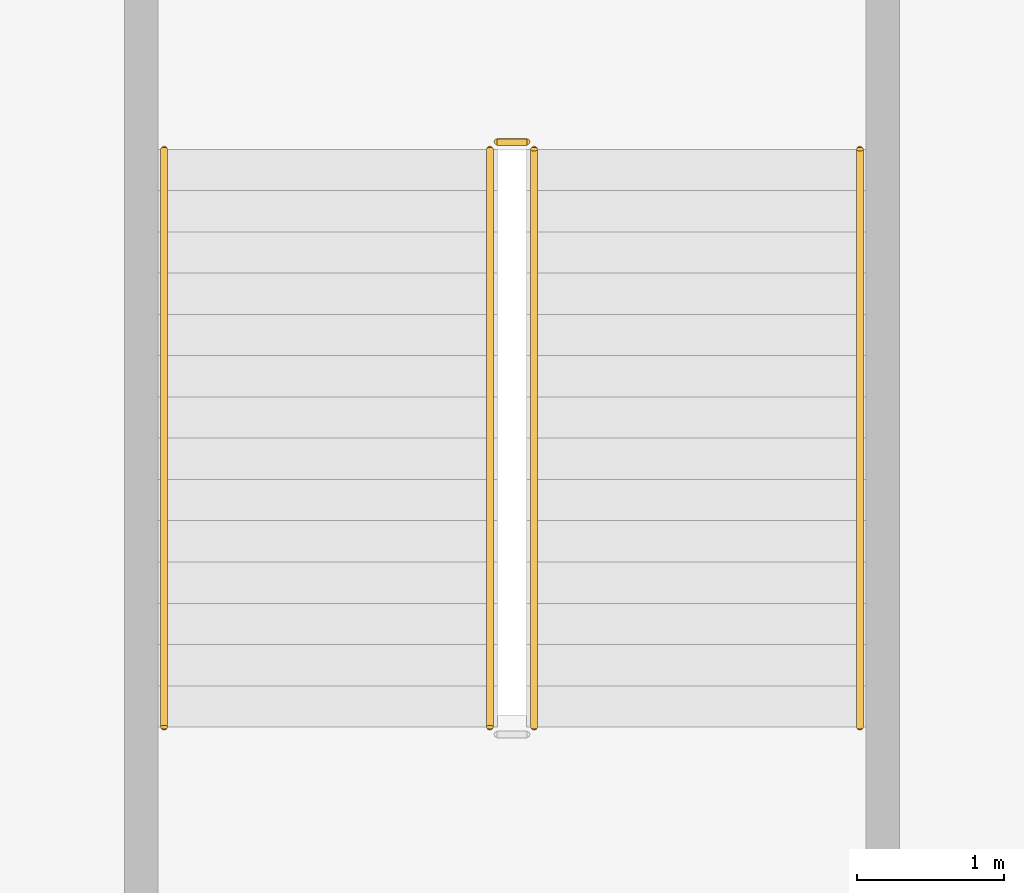
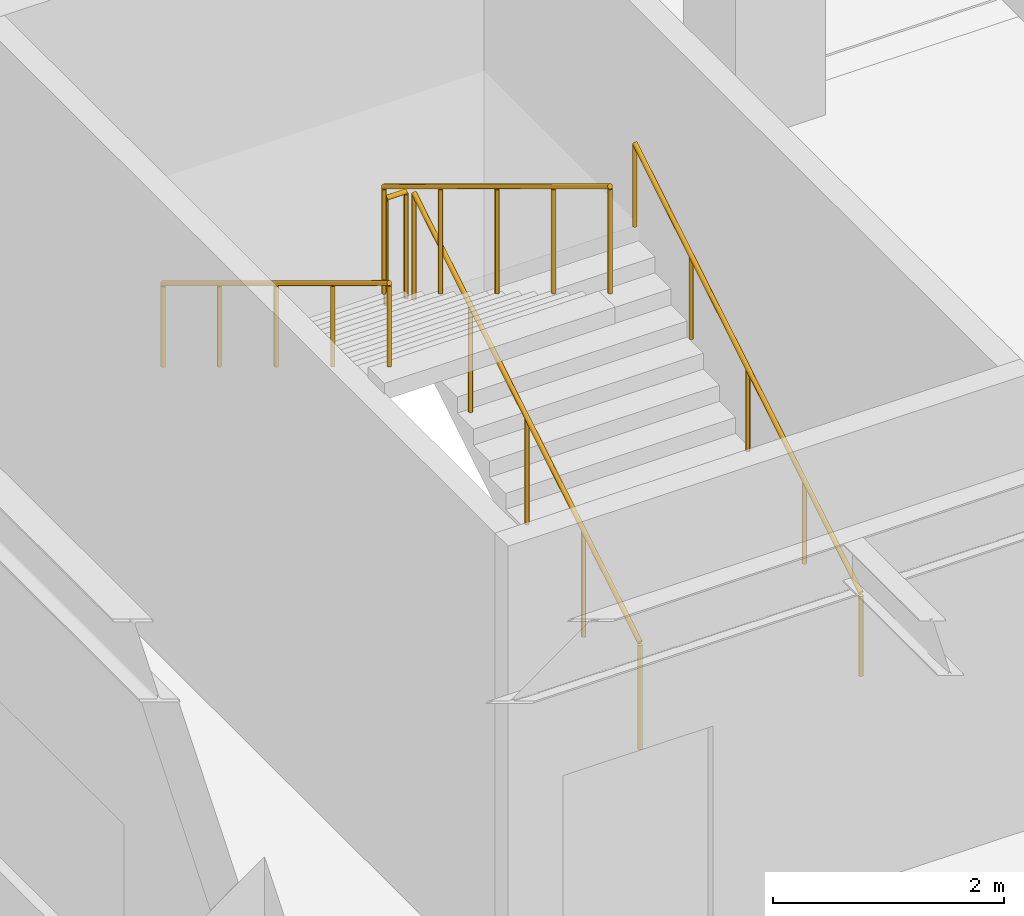
# One storey, part 90 of 116: 5 railings.
"""IFC4 building model written with IfcOpenShell, lengths in metres."""

import ifcopenshell
import ifcopenshell.guid

model = None  # the IFC model being written
_history = None  # IfcOwnerHistory: only IFC2X3 demands one
_inside = {}  # id of a spatial element -> (the spatial element, [elements in it])
_under = {}  # id of a project, library or spatial element -> (it, [spatial elements below it])
_declared = {}  # id of a project -> (the project, [libraries it declares])
_typed = {}  # id of a type object -> (the type object, [elements of that type])
_made_of = {}  # id of a material, layer set ... -> (it, [elements and type objects made of it])


def new_model(schema):
    """Start an empty IFC model of exactly this schema.

    Asked for "IFC4X3", IfcOpenShell would pick the latest addendum, in which some entities
    have other attributes; the version numbers below select the first issue.
    IFC2X3 requires an IfcOwnerHistory on every rooted entity: one is made here for all.
    """
    global model, _history
    if schema == "IFC4X3":
        model = ifcopenshell.file(schema_version=(4, 3, 0, 0))
    else:
        model = ifcopenshell.file(schema=schema)
    _inside.clear()
    _under.clear()
    _declared.clear()
    _typed.clear()
    _made_of.clear()
    _history = None
    if model.schema == "IFC2X3":
        org = make("IfcOrganization", Name="unknown")
        user = make(
            "IfcPersonAndOrganization",
            ThePerson=make("IfcPerson", FamilyName="unknown"),
            TheOrganization=org,
        )
        app = make(
            "IfcApplication",
            ApplicationDeveloper=org,
            Version="unknown",
            ApplicationFullName="unknown",
            ApplicationIdentifier="unknown",
        )
        _history = make(
            "IfcOwnerHistory",
            OwningUser=user,
            OwningApplication=app,
            ChangeAction="ADDED",
            CreationDate=0,
        )
    return model


def make(cls, **values):
    """One entity of the class cls with the attributes given. An attribute that is None is left unset."""
    return model.create_entity(
        cls, **{name: value for name, value in values.items() if value is not None}
    )


def rooted(cls, **values):
    """An entity with a GlobalId (a new one), such as an element, a storey or a relation."""
    return make(cls, GlobalId=ifcopenshell.guid.new(), OwnerHistory=_history, **values)


def si_unit(unit_type, name, prefix=None):
    """IfcSIUnit, for example si_unit("LENGTHUNIT", "METRE", prefix="MILLI")."""
    return make("IfcSIUnit", UnitType=unit_type, Prefix=prefix, Name=name)


def assignment(units):
    """IfcUnitAssignment: the units of a project."""
    return None if units is None else make("IfcUnitAssignment", Units=units)


def point(xyz):
    """IfcCartesianPoint."""
    return None if xyz is None else make("IfcCartesianPoint", Coordinates=xyz)


def direction(xyz):
    """IfcDirection."""
    return None if xyz is None else make("IfcDirection", DirectionRatios=xyz)


def frame(location, z_axis=None, x_axis=None):
    """IfcAxis2Placement3D, a coordinate frame: its origin and axes. An axis left out is left unset."""
    return make(
        "IfcAxis2Placement3D",
        Location=point(location),
        Axis=direction(z_axis),
        RefDirection=direction(x_axis),
    )


def frame_2d(location, x_axis=None):
    """IfcAxis2Placement2D, a coordinate frame in the plane: its origin and x axis."""
    return make(
        "IfcAxis2Placement2D", Location=point(location), RefDirection=direction(x_axis)
    )


def origin():
    """The frame at (0, 0, 0) with its axes left unset."""
    return frame((0.0, 0.0, 0.0))


def origin_2d():
    """The frame at (0, 0) in the plane with its x axis left unset."""
    return frame_2d((0.0, 0.0))


def place(relative_to, where):
    """IfcLocalPlacement: puts the frame where relative to a parent placement (None: the world)."""
    return make(
        "IfcLocalPlacement", PlacementRelTo=relative_to, RelativePlacement=where
    )


def context(
    kind, dimensions, precision=None, world=None, true_north=None, identifier=None
):
    """IfcGeometricRepresentationContext, for example the 3D "Model" context."""
    return make(
        "IfcGeometricRepresentationContext",
        ContextIdentifier=identifier,
        ContextType=kind,
        CoordinateSpaceDimension=dimensions,
        Precision=precision,
        WorldCoordinateSystem=world,
        TrueNorth=true_north,
    )


def subcontext(parent, identifier, kind, view, scale=None):
    """IfcGeometricRepresentationSubContext, for example "Body" below "Model"."""
    return make(
        "IfcGeometricRepresentationSubContext",
        ContextIdentifier=identifier,
        ContextType=kind,
        ParentContext=parent,
        TargetScale=scale,
        TargetView=view,
    )


def project(units=None, contexts=None):
    """IfcProject with its units and contexts."""
    return rooted(
        "IfcProject",
        Name="project",
        RepresentationContexts=contexts,
        UnitsInContext=assignment(units),
    )


def spatial(cls, under=None, at=None, **own):
    """A site, building, storey or space (cls), placed at a placement, below another one or the project."""
    s = rooted(cls, ObjectPlacement=at, **own)
    if under is not None:
        _under.setdefault(under.id(), (under, []))[1].append(s)
    return s


def profile(cls, at=None, kind="AREA", **sizes):
    """A parametric profile (cls). Its sizes go by their IFC names, for example OverallWidth=200.0."""
    return make(cls, ProfileType=kind, Position=at, **sizes)


def circle(**sizes):
    """IfcCircleProfileDef."""
    return profile("IfcCircleProfileDef", **sizes)


def extrude(swept, where, along, depth):
    """IfcExtrudedAreaSolid: the profile swept, set in the frame where, extruded along a direction by depth."""
    return make(
        "IfcExtrudedAreaSolid",
        SweptArea=swept,
        Position=where,
        ExtrudedDirection=direction(along),
        Depth=depth,
    )


def shape(context_of_items, identifier, shape_type, items):
    """IfcShapeRepresentation: the items that make up one representation, for example the "Body"."""
    return make(
        "IfcShapeRepresentation",
        ContextOfItems=context_of_items,
        RepresentationIdentifier=identifier,
        RepresentationType=shape_type,
        Items=items,
    )


def material(Name=None, Category=None):
    """IfcMaterial."""
    return make("IfcMaterial", Name=Name, Category=Category)


def layer(
    of_material, thickness, ventilated=None, Name=None, Category=None, Priority=None
):
    """IfcMaterialLayer: one layer of a wall or slab, of a material (None: an air gap)."""
    return make(
        "IfcMaterialLayer",
        Material=of_material,
        LayerThickness=thickness,
        IsVentilated=ventilated,
        Name=Name,
        Category=Category,
        Priority=Priority,
    )


def layer_set(layers, Name=None):
    """IfcMaterialLayerSet."""
    return make("IfcMaterialLayerSet", MaterialLayers=layers, LayerSetName=Name)


def made_of(thing, what):
    """Note that an element or type object is made of a material, layer set ...; save() writes the relation."""
    if what is not None:
        _made_of.setdefault(what.id(), (what, []))[1].append(thing)
    return thing


def type_object(cls, material=None, **own):
    """A type object (cls), such as IfcWallType, which elements share."""
    return made_of(rooted(cls, **own), material)


def element(
    cls,
    number,
    at=None,
    inside=None,
    cuts=None,
    type_object=None,
    material=None,
    context=None,
    identifier="Body",
    shape_type=None,
    held_by="IfcProductDefinitionShape",
    body=None,
    shapes=None,
    **own,
):
    """One element of the class cls, such as IfcWall. Its Tag is "e" and its number.

    at: its placement. inside: the storey or other place that contains it. cuts: it is an
    opening in that element (IfcRelVoidsElement). A single representation is given by context,
    identifier, shape_type and body (its items); several are given by shapes. held_by: the class
    of the entity that holds the representations. save() writes the other relations.
    """
    e = rooted(cls, Tag="e%d" % number, ObjectPlacement=at, **own)
    if body is not None:
        shapes = [shape(context, identifier, shape_type, body)]
    if shapes is not None:
        e.Representation = make(held_by, Representations=shapes)
    if inside is not None:
        _inside.setdefault(inside.id(), (inside, []))[1].append(e)
    if cuts is not None:
        rooted(
            "IfcRelVoidsElement", RelatingBuildingElement=cuts, RelatedOpeningElement=e
        )
    if type_object is not None:
        _typed.setdefault(type_object.id(), (type_object, []))[1].append(e)
    return made_of(e, material)


def aggregate(whole, parts):
    """IfcRelAggregates: a whole, such as a stair, and the parts it consists of."""
    return rooted("IfcRelAggregates", RelatingObject=whole, RelatedObjects=parts)


def save(model, path):
    """Write the relations noted so far, then the file.

    IfcRelAggregates (storeys below a building ...), IfcRelContainedInSpatialStructure (elements
    in a storey), IfcRelDefinesByType, IfcRelAssociatesMaterial and IfcRelDeclares: one each for
    every whole, place, type object, material and project.
    """
    for whole, parts in _under.values():
        aggregate(whole, parts)
    for where, things in _inside.values():
        rooted(
            "IfcRelContainedInSpatialStructure",
            RelatedElements=things,
            RelatingStructure=where,
        )
    for kind, things in _typed.values():
        rooted("IfcRelDefinesByType", RelatedObjects=things, RelatingType=kind)
    for what, things in _made_of.values():
        rooted("IfcRelAssociatesMaterial", RelatedObjects=things, RelatingMaterial=what)
    for by, libraries in _declared.values():
        rooted("IfcRelDeclares", RelatingContext=by, RelatedDefinitions=libraries)
    model.write(path)


model = new_model("IFC4")

# Units and contexts
model_context = context("Model", 3, precision=1e-05, world=origin(), true_north=direction((0.0, 1.0)))
body_context = subcontext(model_context, "Body", "Model", "MODEL_VIEW")
ifc_project = project(units=[si_unit("LENGTHUNIT", "METRE"), si_unit("AREAUNIT", "SQUARE_METRE"), si_unit("VOLUMEUNIT", "CUBIC_METRE"), si_unit("PLANEANGLEUNIT", "RADIAN"), si_unit("MASSUNIT", "GRAM", prefix="KILO")], contexts=[model_context])

# Site, building, storey
site_placement = place(None, origin())
site = spatial("IfcSite", under=ifc_project, at=site_placement, CompositionType="ELEMENT")
building_placement = place(site_placement, origin())
building = spatial("IfcBuilding", under=site, at=building_placement, Name="Kazenohara Klinker Stadium", CompositionType="ELEMENT")
storey_placement = place(building_placement, frame((0.0, 0.0, 10.199951171875)))
storey = spatial("IfcBuildingStorey", under=building, at=storey_placement, Name="L02", CompositionType="ELEMENT", Elevation=10.199951171875)

# Railings
ifc_material_1 = material(Name="Brushed stainless steel 304 handrail", Category="steel")
ifc_layer_1 = layer(ifc_material_1, 0.050048828125)
ifc_layer_set_1 = layer_set([ifc_layer_1], Name="Brushed stainless steel 304 handrail")
railing_type_1 = type_object("IfcRailingType", Name="RL-HND-900", PredefinedType="HANDRAIL", material=ifc_layer_set_1)
railing_1_placement = place(storey_placement, frame((8.360107421875, 63.85009765625, 0.170166015625)))
element("IfcRailing", 1, at=railing_1_placement, inside=storey, type_object=railing_type_1, Name="L02 ST02 stair handrail 1", PredefinedType="HANDRAIL", context=body_context, shape_type="SweptSolid", body=[
    extrude(circle(Radius=0.02392578125, at=origin_2d()), frame((0.0, 0.0, 0.8759765625), z_axis=(0.0, 0.854794262968, 0.518967020143), x_axis=(-1.0, 0.0, 0.0)), (0.0, 0.0, 1.0), 4.585693359375),
    extrude(circle(Radius=0.02099609375, at=origin_2d()), origin(), (0.0, 0.0, 1.0), 0.851806640625),
    extrude(circle(Radius=0.02099609375, at=origin_2d()), frame((0.0, 0.97998046875, 0.594970703125)), (0.0, 0.0, 1.0), 0.851806640625),
    extrude(circle(Radius=0.02099609375, at=origin_2d()), frame((0.0, 1.9599609375, 1.18994140625)), (0.0, 0.0, 1.0), 0.851806640625),
    extrude(circle(Radius=0.02099609375, at=origin_2d()), frame((0.0, 2.93994140625, 1.784912109375)), (0.0, 0.0, 1.0), 0.851806640625),
    extrude(circle(Radius=0.02099609375, at=origin_2d()), frame((0.0, 3.919921875, 2.3798828125)), (0.0, 0.0, 1.0), 0.851806640625),
])
railing_2_placement = place(storey_placement, frame((3.639892578125, 67.77001953125, 2.719970703125)))
element("IfcRailing", 2, at=railing_2_placement, inside=storey, type_object=railing_type_1, Name="L02 ST02 stair handrail 2", PredefinedType="HANDRAIL", context=body_context, shape_type="SweptSolid", body=[
    extrude(circle(Radius=0.02392578125, at=origin_2d()), frame((0.0, 0.0, 0.8759765625), z_axis=(0.0, -0.854770645689, 0.519005918337), x_axis=(1.0, 0.0, 0.0)), (0.0, 0.0, 1.0), 4.5859375),
    extrude(circle(Radius=0.02099609375, at=origin_2d()), origin(), (0.0, 0.0, 1.0), 0.851806640625),
    extrude(circle(Radius=0.02099609375, at=origin_2d()), frame((0.0, -0.97998046875, 0.594970703125)), (0.0, 0.0, 1.0), 0.851806640625),
    extrude(circle(Radius=0.02099609375, at=origin_2d()), frame((0.0, -1.9599609375, 1.18994140625)), (0.0, 0.0, 1.0), 0.851806640625),
    extrude(circle(Radius=0.02099609375, at=origin_2d()), frame((0.0, -2.93994140625, 1.78515625)), (0.0, 0.0, 1.0), 0.851806640625),
    extrude(circle(Radius=0.02099609375, at=origin_2d()), frame((0.0, -3.919921875, 2.380126953125)), (0.0, 0.0, 1.0), 0.851806640625),
])
ifc_material_2 = material(Name="Painted steel stairwell guardrail", Category="steel")
ifc_layer_2 = layer(ifc_material_2, 0.06005859375)
ifc_layer_set_2 = layer_set([ifc_layer_2], Name="Painted steel stairwell guardrail")
railing_type_2 = type_object("IfcRailingType", Name="RL-STG-1120", PredefinedType="GUARDRAIL", material=ifc_layer_set_2)
railing_3_placement = place(storey_placement, frame((6.14990234375, 63.85009765625, 0.170166015625)))
element("IfcRailing", 3, at=railing_3_placement, inside=storey, type_object=railing_type_2, Name="L02 ST02 stair guard 1", PredefinedType="GUARDRAIL", context=body_context, shape_type="SweptSolid", body=[
    extrude(circle(Radius=0.02392578125, at=origin_2d()), frame((0.0, 0.0, 1.1259765625), z_axis=(0.0, 0.854794262968, 0.518967020143), x_axis=(-1.0, 0.0, 0.0)), (0.0, 0.0, 1.0), 4.585693359375),
    extrude(circle(Radius=0.02099609375, at=origin_2d()), origin(), (0.0, 0.0, 1.0), 1.101806640625),
    extrude(circle(Radius=0.02099609375, at=origin_2d()), frame((0.0, 0.97998046875, 0.594970703125)), (0.0, 0.0, 1.0), 1.101806640625),
    extrude(circle(Radius=0.02099609375, at=origin_2d()), frame((0.0, 1.9599609375, 1.18994140625)), (0.0, 0.0, 1.0), 1.101806640625),
    extrude(circle(Radius=0.02099609375, at=origin_2d()), frame((0.0, 2.93994140625, 1.784912109375)), (0.0, 0.0, 1.0), 1.101806640625),
    extrude(circle(Radius=0.02099609375, at=origin_2d()), frame((0.0, 3.919921875, 2.3798828125)), (0.0, 0.0, 1.0), 1.101806640625),
])
railing_4_placement = place(storey_placement, frame((6.10009765625, 67.820068359375, 2.550048828125)))
element("IfcRailing", 4, at=railing_4_placement, inside=storey, type_object=railing_type_2, Name="L02 ST02 stair guard 2", PredefinedType="GUARDRAIL", context=body_context, shape_type="SweptSolid", body=[
    extrude(circle(Radius=0.02392578125, at=origin_2d()), frame((0.0, 0.0, 1.1259765625), z_axis=(-1.0, 0.0, 0.0), x_axis=(0.0, -1.0, 0.0)), (0.0, 0.0, 1.0), 0.2001953125),
    extrude(circle(Radius=0.02099609375, at=origin_2d()), origin(), (0.0, 0.0, 1.0), 1.101806640625),
    extrude(circle(Radius=0.02099609375, at=origin_2d()), frame((-0.2001953125, 0.0, 0.0)), (0.0, 0.0, 1.0), 1.101806640625),
])
railing_5_placement = place(storey_placement, frame((5.85009765625, 67.77001953125, 2.719970703125)))
element("IfcRailing", 5, at=railing_5_placement, inside=storey, type_object=railing_type_2, Name="L02 ST02 stair guard 3", PredefinedType="GUARDRAIL", context=body_context, shape_type="SweptSolid", body=[
    extrude(circle(Radius=0.02392578125, at=origin_2d()), frame((0.0, 0.0, 1.1259765625), z_axis=(0.0, -0.854770645689, 0.519005918337), x_axis=(1.0, 0.0, 0.0)), (0.0, 0.0, 1.0), 4.5859375),
    extrude(circle(Radius=0.02099609375, at=origin_2d()), origin(), (0.0, 0.0, 1.0), 1.101806640625),
    extrude(circle(Radius=0.02099609375, at=origin_2d()), frame((0.0, -0.97998046875, 0.594970703125)), (0.0, 0.0, 1.0), 1.101806640625),
    extrude(circle(Radius=0.02099609375, at=origin_2d()), frame((0.0, -1.9599609375, 1.18994140625)), (0.0, 0.0, 1.0), 1.101806640625),
    extrude(circle(Radius=0.02099609375, at=origin_2d()), frame((0.0, -2.93994140625, 1.78515625)), (0.0, 0.0, 1.0), 1.101806640625),
    extrude(circle(Radius=0.02099609375, at=origin_2d()), frame((0.0, -3.919921875, 2.380126953125)), (0.0, 0.0, 1.0), 1.101806640625),
])

save(model, "model.ifc")
